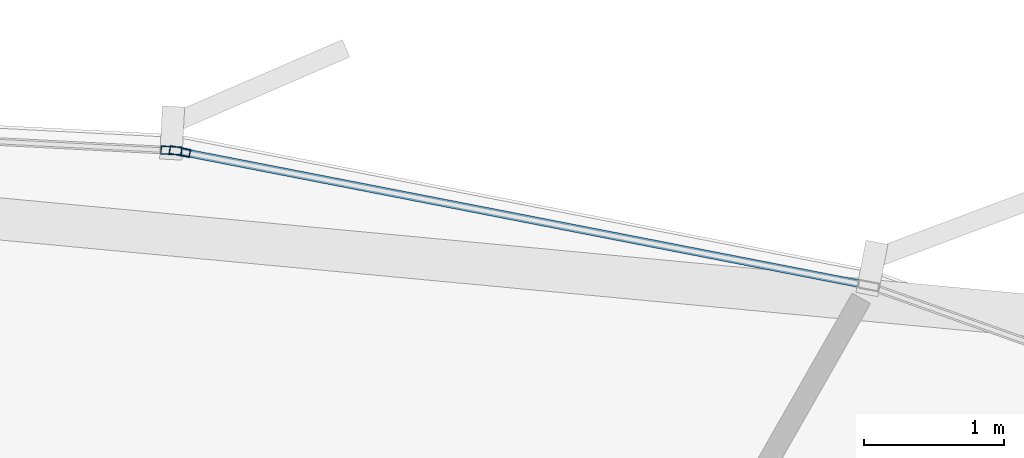
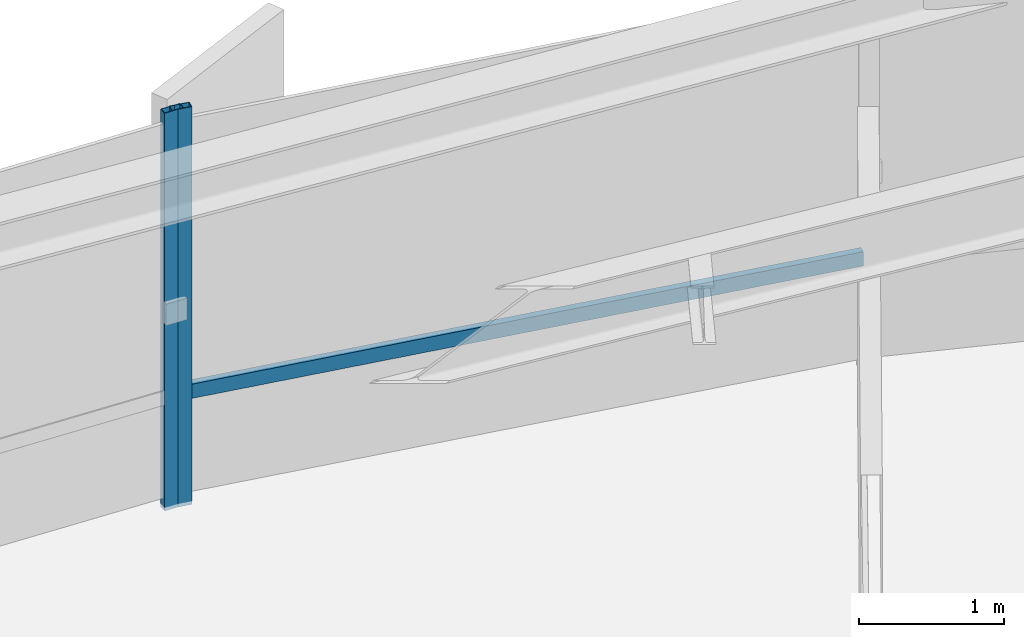
# One storey, part 27 of 35: 3 members, 2 elements without a shape of their own.
"""IFC4 building model written with IfcOpenShell, lengths in metres."""

from ifc_helpers import new_model, si_unit, direction, frame, origin, origin_2d, place, context, subcontext, project, spatial, hollow_rectangle, extrude, source, transform, mapped, material, layer, layer_set, material_profile, profile_set, type_object, element, aggregate, save


model = new_model("IFC4")

# Units and contexts
model_context = context("Model", 3, precision=1e-05, world=origin(), true_north=direction((0.0, 1.0)))
body_context = subcontext(model_context, "Body", "Model", "MODEL_VIEW")
ifc_project = project(units=[si_unit("LENGTHUNIT", "METRE"), si_unit("AREAUNIT", "SQUARE_METRE"), si_unit("VOLUMEUNIT", "CUBIC_METRE"), si_unit("PLANEANGLEUNIT", "RADIAN"), si_unit("MASSUNIT", "GRAM", prefix="KILO"), si_unit("THERMODYNAMICTEMPERATUREUNIT", "KELVIN")], contexts=[model_context])

# Site, building, storey
site_placement = place(None, origin())
site = spatial("IfcSite", under=ifc_project, at=site_placement, CompositionType="ELEMENT")
building_placement = place(site_placement, origin())
building = spatial("IfcBuilding", under=site, at=building_placement, Name="Kethvar Cultural Tower", CompositionType="ELEMENT")
storey_placement = place(building_placement, frame((0.0, 0.0, 103.60009765625)))
storey = spatial("IfcBuildingStorey", under=building, at=storey_placement, Name="L25", CompositionType="ELEMENT", Elevation=103.60009765625)

# Curtain wall, member
ifc_material = material(Name="Aluminium 6063-T6", Category="aluminium")
ifc_layer = layer(ifc_material, 0.179931640625, Name="Aluminium 6063-T6", Category="aluminium")
ifc_layer_set = layer_set([ifc_layer], Name="Aluminium 6063-T6 (180 mm)")
curtain_wall_type = type_object("IfcCurtainWallType", Name="CW-SYS-03-Z2", PredefinedType="NOTDEFINED", material=ifc_layer_set)
curtain_wall_1_placement = place(storey_placement, origin())
curtain_wall_1 = element("IfcCurtainWall", 1, at=curtain_wall_1_placement, inside=storey, type_object=curtain_wall_type, Name="L25 Curtain Wall Run 01", PredefinedType="NOTDEFINED")
ifc_material_profile_1 = material_profile(ifc_material, hollow_rectangle(XDim=0.06005859375, YDim=0.14990234375, WallThickness=0.0048828125, at=origin_2d()), Name="Aluminium 6063-T6 — RHS150x60x5")
ifc_profile_set_1 = profile_set([ifc_material_profile_1], Name="Aluminium 6063-T6 — RHS150x60x5")
member_type_1 = type_object("IfcMemberType", Name="CW-SYS-03-Z2-MUL", PredefinedType="MULLION", material=ifc_profile_set_1)
shared_shape_1 = source(origin(), body_context, "Body", "SweptSolid", [
    extrude(hollow_rectangle(XDim=0.06005859375, YDim=0.14990234375, WallThickness=0.0048828125, at=origin_2d()), origin(), (0.0, 0.0, 1.0), 3.349853515625),
])
member_1_placement = place(storey_placement, frame((54.9765625, 51.778076171875, 0.0), z_axis=(0.0, 0.0, 1.0), x_axis=(-0.191031714606, -0.981583864993, 0.0)))
member_1 = element("IfcMember", 2, at=member_1_placement, type_object=member_type_1, Name="CW-L25-R01 Mullion 7", PredefinedType="MULLION", context=body_context, shape_type="MappedRepresentation", body=[
    mapped(shared_shape_1, transform((0.0, 0.0, 0.0), scale=1.0)),
])

curtain_wall_2_placement = place(storey_placement, origin())
curtain_wall_2 = element("IfcCurtainWall", 3, at=curtain_wall_2_placement, inside=storey, type_object=curtain_wall_type, Name="L25 Curtain Wall Run 02", PredefinedType="NOTDEFINED")
member_2_placement = place(storey_placement, frame((54.915283203125, 51.78564453125, 0.0), z_axis=(0.0, 0.0, 1.0), x_axis=(-0.051534188286, -0.998671230905, 0.0)))
member_2 = element("IfcMember", 4, at=member_2_placement, type_object=member_type_1, Name="CW-L25-R02 Mullion 1", PredefinedType="MULLION", context=body_context, shape_type="MappedRepresentation", body=[
    mapped(shared_shape_1, transform((0.0, 0.0, 0.0), scale=1.0)),
])
aggregate(curtain_wall_2, [member_2])

# Member
ifc_material_profile_2 = material_profile(ifc_material, hollow_rectangle(XDim=0.054931640625, YDim=0.1201171875, WallThickness=0.00390625, at=origin_2d()), Name="Aluminium 6063-T6 — RHS120x55x4")
ifc_profile_set_2 = profile_set([ifc_material_profile_2], Name="Aluminium 6063-T6 — RHS120x55x4")
member_type_2 = type_object("IfcMemberType", Name="CW-SYS-03-Z2-TRN", PredefinedType="USERDEFINED", material=ifc_profile_set_2)
shared_shape_2 = source(origin(), body_context, "Body", "SweptSolid", [
    extrude(hollow_rectangle(XDim=0.054931640625, YDim=0.1201171875, WallThickness=0.00390625, at=origin_2d()), origin(), (0.0, 0.0, 1.0), 4.968994140625),
])
member_3_placement = place(storey_placement, frame((59.858154296875, 50.828125, 0.949951171875), z_axis=(-0.981584179679, 0.191030097637, 0.0), x_axis=(-0.191030097637, -0.981584179679, 0.0)))
member_3 = element("IfcMember", 5, at=member_3_placement, type_object=member_type_2, Name="CW-L25-R01 Transom 6", ObjectType="TRANSOM", PredefinedType="USERDEFINED", context=body_context, shape_type="MappedRepresentation", body=[
    mapped(shared_shape_2, transform((0.0, 0.0, 0.0), scale=1.0)),
])

aggregate(curtain_wall_1, [member_1, member_3])

save(model, "model.ifc")
